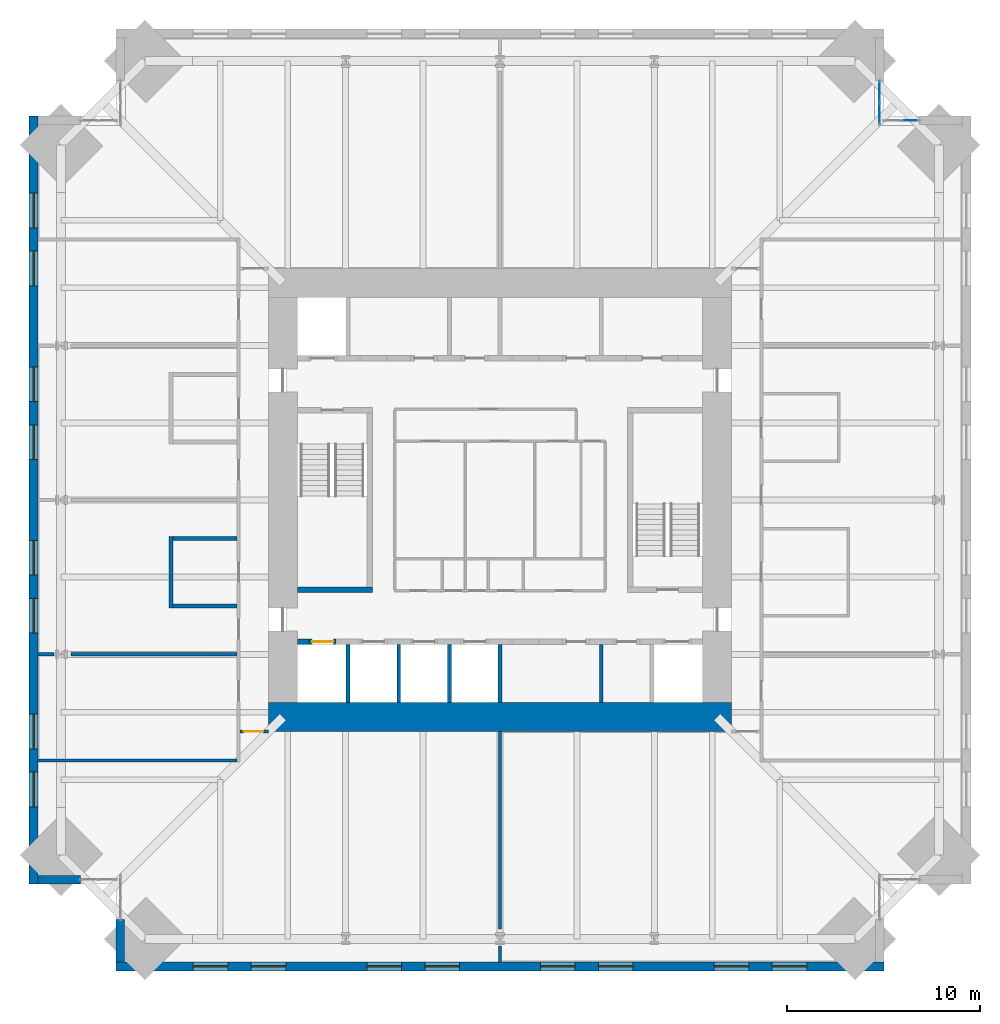
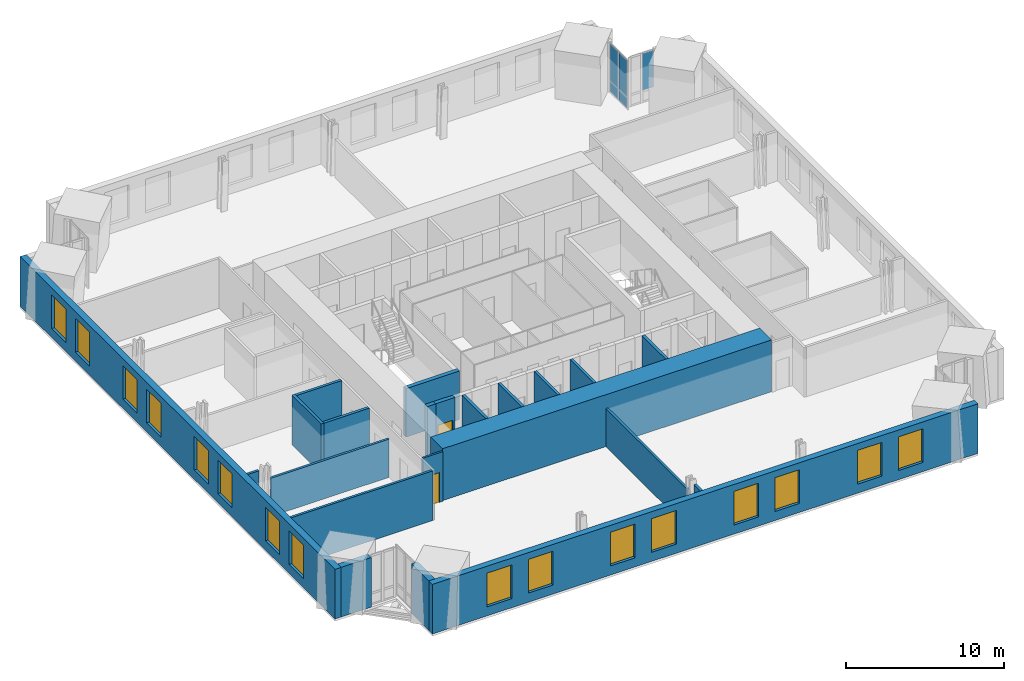
# One storey, part 10 of 15: 22 walls, 16 windows, 5 plates, 2 doors, 18 openings, 2 elements without a shape of their own.
"""IFC4 building model written with IfcOpenShell, lengths in metres."""

from ifc_helpers import new_model, si_unit, direction, frame, frame_2d, origin, origin_2d, place, context, subcontext, project, spatial, rectangle, extrude, material, layer, layer_set, type_object, element, fill, aggregate, save


model = new_model("IFC4")

# Units and contexts
model_context = context("Model", 3, precision=1e-05, world=origin(), true_north=direction((0.0, 1.0)))
body_context = subcontext(model_context, "Body", "Model", "MODEL_VIEW")
ifc_project = project(units=[si_unit("LENGTHUNIT", "METRE"), si_unit("AREAUNIT", "SQUARE_METRE"), si_unit("VOLUMEUNIT", "CUBIC_METRE"), si_unit("PLANEANGLEUNIT", "RADIAN"), si_unit("MASSUNIT", "GRAM", prefix="KILO")], contexts=[model_context])

# Site, building, storey
site_placement = place(None, origin())
site = spatial("IfcSite", under=ifc_project, at=site_placement, CompositionType="ELEMENT")
building_placement = place(site_placement, origin())
building = spatial("IfcBuilding", under=site, at=building_placement, Name="Peilmerk Tower", CompositionType="ELEMENT")
storey_placement = place(building_placement, frame((0.0, 0.0, 201.800048828125)))
storey = spatial("IfcBuildingStorey", under=building, at=storey_placement, Name="L43", CompositionType="ELEMENT", Elevation=201.800048828125)

# Curtain wall, plates
ifc_material_1 = material(Name="Aluminium stick curtain wall", Category="aluminium")
curtain_wall_type = type_object("IfcCurtainWallType", Name="CW4 stick curtain wall, 2250 module", PredefinedType="NOTDEFINED", material=ifc_material_1)
curtain_wall_1_placement = place(storey_placement, origin())
curtain_wall_1 = element("IfcCurtainWall", 1, at=curtain_wall_1_placement, inside=storey, type_object=curtain_wall_type, Name="Curtain wall CW4 NEA L43", PredefinedType="NOTDEFINED")
ifc_material_2 = material(Name="Clear insulated glazing unit", Category="glass")
ifc_layer_1 = layer(ifc_material_2, 0.028076171875)
ifc_layer_set_1 = layer_set([ifc_layer_1], Name="Clear insulated glazing unit")
plate_type = type_object("IfcPlateType", Name="CW4-P 28 glazed panel", PredefinedType="CURTAIN_PANEL", material=ifc_layer_set_1)
plate_1_placement = place(storey_placement, frame((19.675048828125, 20.038330078125, 0.06494140625), z_axis=(0.0, 0.0, 1.0), x_axis=(0.0, 1.0, 0.0)))
plate_1 = element("IfcPlate", 2, at=plate_1_placement, type_object=plate_type, Name="CW4 panel 1.1", PredefinedType="CURTAIN_PANEL", context=body_context, shape_type="SweptSolid", body=[
    extrude(rectangle(XDim=1.046875, YDim=0.028076171875, at=origin_2d()), origin(), (0.0, 0.0, 1.0), 0.802490234375),
])
plate_2_placement = place(storey_placement, frame((19.675048828125, 20.038330078125, 0.932373046875), z_axis=(0.0, 0.0, 1.0), x_axis=(0.0, 1.0, 0.0)))
plate_2 = element("IfcPlate", 3, at=plate_2_placement, type_object=plate_type, Name="CW4 panel 1.2", PredefinedType="CURTAIN_PANEL", context=body_context, shape_type="SweptSolid", body=[
    extrude(rectangle(XDim=1.046875, YDim=0.028076171875, at=origin_2d()), origin(), (0.0, 0.0, 1.0), 2.83251953125),
])
plate_3_placement = place(storey_placement, frame((19.675048828125, 21.150146484375, 0.06494140625), z_axis=(0.0, 0.0, 1.0), x_axis=(0.0, 1.0, 0.0)))
plate_3 = element("IfcPlate", 4, at=plate_3_placement, type_object=plate_type, Name="CW4 panel 2.1", PredefinedType="CURTAIN_PANEL", context=body_context, shape_type="SweptSolid", body=[
    extrude(rectangle(XDim=1.046875, YDim=0.028076171875, at=origin_2d()), origin(), (0.0, 0.0, 1.0), 0.802490234375),
])
plate_4_placement = place(storey_placement, frame((19.675048828125, 21.150146484375, 0.932373046875), z_axis=(0.0, 0.0, 1.0), x_axis=(0.0, 1.0, 0.0)))
plate_4 = element("IfcPlate", 5, at=plate_4_placement, type_object=plate_type, Name="CW4 panel 2.2", PredefinedType="CURTAIN_PANEL", context=body_context, shape_type="SweptSolid", body=[
    extrude(rectangle(XDim=1.046875, YDim=0.028076171875, at=origin_2d()), origin(), (0.0, 0.0, 1.0), 2.83251953125),
])
aggregate(curtain_wall_1, [plate_1, plate_2, plate_3, plate_4])

# Curtain wall, plate
curtain_wall_2_placement = place(storey_placement, origin())
curtain_wall_2 = element("IfcCurtainWall", 6, at=curtain_wall_2_placement, inside=storey, type_object=curtain_wall_type, Name="Curtain wall CW4 NEB L43", PredefinedType="NOTDEFINED")
plate_5_placement = place(storey_placement, frame((21.2626953125, 19.675048828125, 0.932373046875), z_axis=(0.0, 0.0, 1.0), x_axis=(1.0, 0.0, 0.0)))
plate_5 = element("IfcPlate", 7, at=plate_5_placement, type_object=plate_type, Name="CW4 panel 2.2", PredefinedType="CURTAIN_PANEL", context=body_context, shape_type="SweptSolid", body=[
    extrude(rectangle(XDim=0.82177734375, YDim=0.028076171875, at=origin_2d()), origin(), (0.0, 0.0, 1.0), 2.83251953125),
])
aggregate(curtain_wall_2, [plate_5])

# Wall, openings, windows
ifc_material_3 = material(Name="Precast concrete C45/55, board-marked finish", Category="concrete")
ifc_layer_2 = layer(ifc_material_3, 0.449951171875)
ifc_layer_set_2 = layer_set([ifc_layer_2], Name="Precast concrete C45/55, board-marked finish")
wall_type_1 = type_object("IfcWallType", Name="EW1 450 precast concrete facade wall, board-marked", PredefinedType="SOLIDWALL", material=ifc_layer_set_2)
wall_1_placement = place(storey_placement, frame((-19.89990234375, -24.175048828125, 0.0), z_axis=(0.0, 0.0, 1.0), x_axis=(1.0, 0.0, 0.0)))
wall_1 = element("IfcWall", 8, at=wall_1_placement, inside=storey, type_object=wall_type_1, Name="Facade wall S L43", PredefinedType="SOLIDWALL", context=body_context, shape_type="SweptSolid", body=[
    extrude(rectangle(XDim=39.7998046875, YDim=0.449951171875, at=frame_2d((19.89990234375, 0.0))), origin(), (0.0, 0.0, 1.0), 3.829833984375),
])
opening_1_placement = place(wall_1_placement, frame((4.0, 0.0, 0.699951171875)))
opening_1 = element("IfcOpeningElement", 9, at=opening_1_placement, cuts=wall_1, Name="Opening W1", PredefinedType="OPENING", context=body_context, shape_type="SweptSolid", body=[
    extrude(rectangle(XDim=1.800048828125, YDim=2.60009765625, at=frame_2d((0.89990234375, 1.300048828125))), frame((0.0, 0.23486328125, 0.0), z_axis=(0.0, -1.0, 0.0), x_axis=(1.0, 0.0, 0.0)), (0.0, 0.0, 1.0), 0.469970703125),
])
opening_2_placement = place(wall_1_placement, frame((7.0, 0.0, 0.699951171875)))
opening_2 = element("IfcOpeningElement", 10, at=opening_2_placement, cuts=wall_1, Name="Opening W1", PredefinedType="OPENING", context=body_context, shape_type="SweptSolid", body=[
    extrude(rectangle(XDim=1.800048828125, YDim=2.60009765625, at=frame_2d((0.89990234375, 1.300048828125))), frame((0.0, 0.23486328125, 0.0), z_axis=(0.0, -1.0, 0.0), x_axis=(1.0, 0.0, 0.0)), (0.0, 0.0, 1.0), 0.469970703125),
])
opening_3_placement = place(wall_1_placement, frame((13.0, 0.0, 0.699951171875)))
opening_3 = element("IfcOpeningElement", 11, at=opening_3_placement, cuts=wall_1, Name="Opening W1", PredefinedType="OPENING", context=body_context, shape_type="SweptSolid", body=[
    extrude(rectangle(XDim=1.800048828125, YDim=2.60009765625, at=frame_2d((0.89990234375, 1.300048828125))), frame((0.0, 0.23486328125, 0.0), z_axis=(0.0, -1.0, 0.0), x_axis=(1.0, 0.0, 0.0)), (0.0, 0.0, 1.0), 0.469970703125),
])
opening_4_placement = place(wall_1_placement, frame((16.0, 0.0, 0.699951171875)))
opening_4 = element("IfcOpeningElement", 12, at=opening_4_placement, cuts=wall_1, Name="Opening W1", PredefinedType="OPENING", context=body_context, shape_type="SweptSolid", body=[
    extrude(rectangle(XDim=1.800048828125, YDim=2.60009765625, at=frame_2d((0.89990234375, 1.300048828125))), frame((0.0, 0.23486328125, 0.0), z_axis=(0.0, -1.0, 0.0), x_axis=(1.0, 0.0, 0.0)), (0.0, 0.0, 1.0), 0.469970703125),
])
opening_5_placement = place(wall_1_placement, frame((22.0, 0.0, 0.699951171875)))
opening_5 = element("IfcOpeningElement", 13, at=opening_5_placement, cuts=wall_1, Name="Opening W1", PredefinedType="OPENING", context=body_context, shape_type="SweptSolid", body=[
    extrude(rectangle(XDim=1.800048828125, YDim=2.60009765625, at=frame_2d((0.89990234375, 1.300048828125))), frame((0.0, 0.23486328125, 0.0), z_axis=(0.0, -1.0, 0.0), x_axis=(1.0, 0.0, 0.0)), (0.0, 0.0, 1.0), 0.469970703125),
])
opening_6_placement = place(wall_1_placement, frame((25.0, 0.0, 0.699951171875)))
opening_6 = element("IfcOpeningElement", 14, at=opening_6_placement, cuts=wall_1, Name="Opening W1", PredefinedType="OPENING", context=body_context, shape_type="SweptSolid", body=[
    extrude(rectangle(XDim=1.800048828125, YDim=2.60009765625, at=frame_2d((0.89990234375, 1.300048828125))), frame((0.0, 0.23486328125, 0.0), z_axis=(0.0, -1.0, 0.0), x_axis=(1.0, 0.0, 0.0)), (0.0, 0.0, 1.0), 0.469970703125),
])
opening_7_placement = place(wall_1_placement, frame((31.0, 0.0, 0.699951171875)))
opening_7 = element("IfcOpeningElement", 15, at=opening_7_placement, cuts=wall_1, Name="Opening W1", PredefinedType="OPENING", context=body_context, shape_type="SweptSolid", body=[
    extrude(rectangle(XDim=1.800048828125, YDim=2.60009765625, at=frame_2d((0.89990234375, 1.300048828125))), frame((0.0, 0.23486328125, 0.0), z_axis=(0.0, -1.0, 0.0), x_axis=(1.0, 0.0, 0.0)), (0.0, 0.0, 1.0), 0.469970703125),
])
opening_8_placement = place(wall_1_placement, frame((34.0, 0.0, 0.699951171875)))
opening_8 = element("IfcOpeningElement", 16, at=opening_8_placement, cuts=wall_1, Name="Opening W1", PredefinedType="OPENING", context=body_context, shape_type="SweptSolid", body=[
    extrude(rectangle(XDim=1.800048828125, YDim=2.60009765625, at=frame_2d((0.89990234375, 1.300048828125))), frame((0.0, 0.23486328125, 0.0), z_axis=(0.0, -1.0, 0.0), x_axis=(1.0, 0.0, 0.0)), (0.0, 0.0, 1.0), 0.469970703125),
])
ifc_material_4 = material(Name="Aluminium frame, clear double glazing", Category="aluminium")
window_type = type_object("IfcWindowType", Name="W1 1800x2600 office window", PartitioningType="SINGLE_PANEL", PredefinedType="WINDOW", material=ifc_material_4)
window_1_placement = place(opening_1_placement, origin())
window_1 = element("IfcWindow", 17, at=window_1_placement, inside=storey, type_object=window_type, Name="Window W1 L43", OverallHeight=2.60009765625, OverallWidth=1.800048828125, PartitioningType="SINGLE_PANEL", PredefinedType="WINDOW", context=body_context, shape_type="SweptSolid", body=[
    extrude(rectangle(XDim=1.800048828125, YDim=2.60009765625, at=frame_2d((0.89990234375, 1.300048828125))), frame((0.0, 0.030029296875, 0.0), z_axis=(0.0, -1.0, 0.0), x_axis=(1.0, 0.0, 0.0)), (0.0, 0.0, 1.0), 0.06005859375),
])
fill(opening_1, window_1)
window_2_placement = place(opening_2_placement, origin())
window_2 = element("IfcWindow", 18, at=window_2_placement, inside=storey, type_object=window_type, Name="Window W1 L43", OverallHeight=2.60009765625, OverallWidth=1.800048828125, PartitioningType="SINGLE_PANEL", PredefinedType="WINDOW", context=body_context, shape_type="SweptSolid", body=[
    extrude(rectangle(XDim=1.800048828125, YDim=2.60009765625, at=frame_2d((0.89990234375, 1.300048828125))), frame((0.0, 0.030029296875, 0.0), z_axis=(0.0, -1.0, 0.0), x_axis=(1.0, 0.0, 0.0)), (0.0, 0.0, 1.0), 0.06005859375),
])
fill(opening_2, window_2)
window_3_placement = place(opening_3_placement, origin())
window_3 = element("IfcWindow", 19, at=window_3_placement, inside=storey, type_object=window_type, Name="Window W1 L43", OverallHeight=2.60009765625, OverallWidth=1.800048828125, PartitioningType="SINGLE_PANEL", PredefinedType="WINDOW", context=body_context, shape_type="SweptSolid", body=[
    extrude(rectangle(XDim=1.800048828125, YDim=2.60009765625, at=frame_2d((0.89990234375, 1.300048828125))), frame((0.0, 0.030029296875, 0.0), z_axis=(0.0, -1.0, 0.0), x_axis=(1.0, 0.0, 0.0)), (0.0, 0.0, 1.0), 0.06005859375),
])
fill(opening_3, window_3)
window_4_placement = place(opening_4_placement, origin())
window_4 = element("IfcWindow", 20, at=window_4_placement, inside=storey, type_object=window_type, Name="Window W1 L43", OverallHeight=2.60009765625, OverallWidth=1.800048828125, PartitioningType="SINGLE_PANEL", PredefinedType="WINDOW", context=body_context, shape_type="SweptSolid", body=[
    extrude(rectangle(XDim=1.800048828125, YDim=2.60009765625, at=frame_2d((0.89990234375, 1.300048828125))), frame((0.0, 0.030029296875, 0.0), z_axis=(0.0, -1.0, 0.0), x_axis=(1.0, 0.0, 0.0)), (0.0, 0.0, 1.0), 0.06005859375),
])
fill(opening_4, window_4)
window_5_placement = place(opening_5_placement, origin())
window_5 = element("IfcWindow", 21, at=window_5_placement, inside=storey, type_object=window_type, Name="Window W1 L43", OverallHeight=2.60009765625, OverallWidth=1.800048828125, PartitioningType="SINGLE_PANEL", PredefinedType="WINDOW", context=body_context, shape_type="SweptSolid", body=[
    extrude(rectangle(XDim=1.800048828125, YDim=2.60009765625, at=frame_2d((0.89990234375, 1.300048828125))), frame((0.0, 0.030029296875, 0.0), z_axis=(0.0, -1.0, 0.0), x_axis=(1.0, 0.0, 0.0)), (0.0, 0.0, 1.0), 0.06005859375),
])
fill(opening_5, window_5)
window_6_placement = place(opening_6_placement, origin())
window_6 = element("IfcWindow", 22, at=window_6_placement, inside=storey, type_object=window_type, Name="Window W1 L43", OverallHeight=2.60009765625, OverallWidth=1.800048828125, PartitioningType="SINGLE_PANEL", PredefinedType="WINDOW", context=body_context, shape_type="SweptSolid", body=[
    extrude(rectangle(XDim=1.800048828125, YDim=2.60009765625, at=frame_2d((0.89990234375, 1.300048828125))), frame((0.0, 0.030029296875, 0.0), z_axis=(0.0, -1.0, 0.0), x_axis=(1.0, 0.0, 0.0)), (0.0, 0.0, 1.0), 0.06005859375),
])
fill(opening_6, window_6)
window_7_placement = place(opening_7_placement, origin())
window_7 = element("IfcWindow", 23, at=window_7_placement, inside=storey, type_object=window_type, Name="Window W1 L43", OverallHeight=2.60009765625, OverallWidth=1.800048828125, PartitioningType="SINGLE_PANEL", PredefinedType="WINDOW", context=body_context, shape_type="SweptSolid", body=[
    extrude(rectangle(XDim=1.800048828125, YDim=2.60009765625, at=frame_2d((0.89990234375, 1.300048828125))), frame((0.0, 0.030029296875, 0.0), z_axis=(0.0, -1.0, 0.0), x_axis=(1.0, 0.0, 0.0)), (0.0, 0.0, 1.0), 0.06005859375),
])
fill(opening_7, window_7)
window_8_placement = place(opening_8_placement, origin())
window_8 = element("IfcWindow", 24, at=window_8_placement, inside=storey, type_object=window_type, Name="Window W1 L43", OverallHeight=2.60009765625, OverallWidth=1.800048828125, PartitioningType="SINGLE_PANEL", PredefinedType="WINDOW", context=body_context, shape_type="SweptSolid", body=[
    extrude(rectangle(XDim=1.800048828125, YDim=2.60009765625, at=frame_2d((0.89990234375, 1.300048828125))), frame((0.0, 0.030029296875, 0.0), z_axis=(0.0, -1.0, 0.0), x_axis=(1.0, 0.0, 0.0)), (0.0, 0.0, 1.0), 0.06005859375),
])
fill(opening_8, window_8)

wall_2_placement = place(storey_placement, frame((-24.175048828125, 19.89990234375, 0.0), z_axis=(0.0, 0.0, 1.0), x_axis=(0.0, -1.0, 0.0)))
wall_2 = element("IfcWall", 25, at=wall_2_placement, inside=storey, type_object=wall_type_1, Name="Facade wall W L43", PredefinedType="SOLIDWALL", context=body_context, shape_type="SweptSolid", body=[
    extrude(rectangle(XDim=39.7998046875, YDim=0.449951171875, at=frame_2d((19.89990234375, 0.0))), origin(), (0.0, 0.0, 1.0), 3.829833984375),
])
opening_9_placement = place(wall_2_placement, frame((4.0, 0.0, 0.699951171875)))
opening_9 = element("IfcOpeningElement", 26, at=opening_9_placement, cuts=wall_2, Name="Opening W1", PredefinedType="OPENING", context=body_context, shape_type="SweptSolid", body=[
    extrude(rectangle(XDim=1.800048828125, YDim=2.60009765625, at=frame_2d((0.89990234375, 1.300048828125))), frame((0.0, 0.23486328125, 0.0), z_axis=(0.0, -1.0, 0.0), x_axis=(1.0, 0.0, 0.0)), (0.0, 0.0, 1.0), 0.469970703125),
])
opening_10_placement = place(wall_2_placement, frame((7.0, 0.0, 0.699951171875)))
opening_10 = element("IfcOpeningElement", 27, at=opening_10_placement, cuts=wall_2, Name="Opening W1", PredefinedType="OPENING", context=body_context, shape_type="SweptSolid", body=[
    extrude(rectangle(XDim=1.800048828125, YDim=2.60009765625, at=frame_2d((0.89990234375, 1.300048828125))), frame((0.0, 0.23486328125, 0.0), z_axis=(0.0, -1.0, 0.0), x_axis=(1.0, 0.0, 0.0)), (0.0, 0.0, 1.0), 0.469970703125),
])
opening_11_placement = place(wall_2_placement, frame((13.0, 0.0, 0.699951171875)))
opening_11 = element("IfcOpeningElement", 28, at=opening_11_placement, cuts=wall_2, Name="Opening W1", PredefinedType="OPENING", context=body_context, shape_type="SweptSolid", body=[
    extrude(rectangle(XDim=1.800048828125, YDim=2.60009765625, at=frame_2d((0.89990234375, 1.300048828125))), frame((0.0, 0.23486328125, 0.0), z_axis=(0.0, -1.0, 0.0), x_axis=(1.0, 0.0, 0.0)), (0.0, 0.0, 1.0), 0.469970703125),
])
opening_12_placement = place(wall_2_placement, frame((16.0, 0.0, 0.699951171875)))
opening_12 = element("IfcOpeningElement", 29, at=opening_12_placement, cuts=wall_2, Name="Opening W1", PredefinedType="OPENING", context=body_context, shape_type="SweptSolid", body=[
    extrude(rectangle(XDim=1.800048828125, YDim=2.60009765625, at=frame_2d((0.89990234375, 1.300048828125))), frame((0.0, 0.23486328125, 0.0), z_axis=(0.0, -1.0, 0.0), x_axis=(1.0, 0.0, 0.0)), (0.0, 0.0, 1.0), 0.469970703125),
])
opening_13_placement = place(wall_2_placement, frame((22.0, 0.0, 0.699951171875)))
opening_13 = element("IfcOpeningElement", 30, at=opening_13_placement, cuts=wall_2, Name="Opening W1", PredefinedType="OPENING", context=body_context, shape_type="SweptSolid", body=[
    extrude(rectangle(XDim=1.800048828125, YDim=2.60009765625, at=frame_2d((0.89990234375, 1.300048828125))), frame((0.0, 0.23486328125, 0.0), z_axis=(0.0, -1.0, 0.0), x_axis=(1.0, 0.0, 0.0)), (0.0, 0.0, 1.0), 0.469970703125),
])
opening_14_placement = place(wall_2_placement, frame((25.0, 0.0, 0.699951171875)))
opening_14 = element("IfcOpeningElement", 31, at=opening_14_placement, cuts=wall_2, Name="Opening W1", PredefinedType="OPENING", context=body_context, shape_type="SweptSolid", body=[
    extrude(rectangle(XDim=1.800048828125, YDim=2.60009765625, at=frame_2d((0.89990234375, 1.300048828125))), frame((0.0, 0.23486328125, 0.0), z_axis=(0.0, -1.0, 0.0), x_axis=(1.0, 0.0, 0.0)), (0.0, 0.0, 1.0), 0.469970703125),
])
opening_15_placement = place(wall_2_placement, frame((31.0, 0.0, 0.699951171875)))
opening_15 = element("IfcOpeningElement", 32, at=opening_15_placement, cuts=wall_2, Name="Opening W1", PredefinedType="OPENING", context=body_context, shape_type="SweptSolid", body=[
    extrude(rectangle(XDim=1.800048828125, YDim=2.60009765625, at=frame_2d((0.89990234375, 1.300048828125))), frame((0.0, 0.23486328125, 0.0), z_axis=(0.0, -1.0, 0.0), x_axis=(1.0, 0.0, 0.0)), (0.0, 0.0, 1.0), 0.469970703125),
])
opening_16_placement = place(wall_2_placement, frame((34.0, 0.0, 0.699951171875)))
opening_16 = element("IfcOpeningElement", 33, at=opening_16_placement, cuts=wall_2, Name="Opening W1", PredefinedType="OPENING", context=body_context, shape_type="SweptSolid", body=[
    extrude(rectangle(XDim=1.800048828125, YDim=2.60009765625, at=frame_2d((0.89990234375, 1.300048828125))), frame((0.0, 0.23486328125, 0.0), z_axis=(0.0, -1.0, 0.0), x_axis=(1.0, 0.0, 0.0)), (0.0, 0.0, 1.0), 0.469970703125),
])
window_9_placement = place(opening_9_placement, origin())
window_9 = element("IfcWindow", 34, at=window_9_placement, inside=storey, type_object=window_type, Name="Window W1 L43", OverallHeight=2.60009765625, OverallWidth=1.800048828125, PartitioningType="SINGLE_PANEL", PredefinedType="WINDOW", context=body_context, shape_type="SweptSolid", body=[
    extrude(rectangle(XDim=1.800048828125, YDim=2.60009765625, at=frame_2d((0.89990234375, 1.300048828125))), frame((0.0, 0.030029296875, 0.0), z_axis=(0.0, -1.0, 0.0), x_axis=(1.0, 0.0, 0.0)), (0.0, 0.0, 1.0), 0.06005859375),
])
fill(opening_9, window_9)
window_10_placement = place(opening_10_placement, origin())
window_10 = element("IfcWindow", 35, at=window_10_placement, inside=storey, type_object=window_type, Name="Window W1 L43", OverallHeight=2.60009765625, OverallWidth=1.800048828125, PartitioningType="SINGLE_PANEL", PredefinedType="WINDOW", context=body_context, shape_type="SweptSolid", body=[
    extrude(rectangle(XDim=1.800048828125, YDim=2.60009765625, at=frame_2d((0.89990234375, 1.300048828125))), frame((0.0, 0.030029296875, 0.0), z_axis=(0.0, -1.0, 0.0), x_axis=(1.0, 0.0, 0.0)), (0.0, 0.0, 1.0), 0.06005859375),
])
fill(opening_10, window_10)
window_11_placement = place(opening_11_placement, origin())
window_11 = element("IfcWindow", 36, at=window_11_placement, inside=storey, type_object=window_type, Name="Window W1 L43", OverallHeight=2.60009765625, OverallWidth=1.800048828125, PartitioningType="SINGLE_PANEL", PredefinedType="WINDOW", context=body_context, shape_type="SweptSolid", body=[
    extrude(rectangle(XDim=1.800048828125, YDim=2.60009765625, at=frame_2d((0.89990234375, 1.300048828125))), frame((0.0, 0.030029296875, 0.0), z_axis=(0.0, -1.0, 0.0), x_axis=(1.0, 0.0, 0.0)), (0.0, 0.0, 1.0), 0.06005859375),
])
fill(opening_11, window_11)
window_12_placement = place(opening_12_placement, origin())
window_12 = element("IfcWindow", 37, at=window_12_placement, inside=storey, type_object=window_type, Name="Window W1 L43", OverallHeight=2.60009765625, OverallWidth=1.800048828125, PartitioningType="SINGLE_PANEL", PredefinedType="WINDOW", context=body_context, shape_type="SweptSolid", body=[
    extrude(rectangle(XDim=1.800048828125, YDim=2.60009765625, at=frame_2d((0.89990234375, 1.300048828125))), frame((0.0, 0.030029296875, 0.0), z_axis=(0.0, -1.0, 0.0), x_axis=(1.0, 0.0, 0.0)), (0.0, 0.0, 1.0), 0.06005859375),
])
fill(opening_12, window_12)
window_13_placement = place(opening_13_placement, origin())
window_13 = element("IfcWindow", 38, at=window_13_placement, inside=storey, type_object=window_type, Name="Window W1 L43", OverallHeight=2.60009765625, OverallWidth=1.800048828125, PartitioningType="SINGLE_PANEL", PredefinedType="WINDOW", context=body_context, shape_type="SweptSolid", body=[
    extrude(rectangle(XDim=1.800048828125, YDim=2.60009765625, at=frame_2d((0.89990234375, 1.300048828125))), frame((0.0, 0.030029296875, 0.0), z_axis=(0.0, -1.0, 0.0), x_axis=(1.0, 0.0, 0.0)), (0.0, 0.0, 1.0), 0.06005859375),
])
fill(opening_13, window_13)
window_14_placement = place(opening_14_placement, origin())
window_14 = element("IfcWindow", 39, at=window_14_placement, inside=storey, type_object=window_type, Name="Window W1 L43", OverallHeight=2.60009765625, OverallWidth=1.800048828125, PartitioningType="SINGLE_PANEL", PredefinedType="WINDOW", context=body_context, shape_type="SweptSolid", body=[
    extrude(rectangle(XDim=1.800048828125, YDim=2.60009765625, at=frame_2d((0.89990234375, 1.300048828125))), frame((0.0, 0.030029296875, 0.0), z_axis=(0.0, -1.0, 0.0), x_axis=(1.0, 0.0, 0.0)), (0.0, 0.0, 1.0), 0.06005859375),
])
fill(opening_14, window_14)
window_15_placement = place(opening_15_placement, origin())
window_15 = element("IfcWindow", 40, at=window_15_placement, inside=storey, type_object=window_type, Name="Window W1 L43", OverallHeight=2.60009765625, OverallWidth=1.800048828125, PartitioningType="SINGLE_PANEL", PredefinedType="WINDOW", context=body_context, shape_type="SweptSolid", body=[
    extrude(rectangle(XDim=1.800048828125, YDim=2.60009765625, at=frame_2d((0.89990234375, 1.300048828125))), frame((0.0, 0.030029296875, 0.0), z_axis=(0.0, -1.0, 0.0), x_axis=(1.0, 0.0, 0.0)), (0.0, 0.0, 1.0), 0.06005859375),
])
fill(opening_15, window_15)
window_16_placement = place(opening_16_placement, origin())
window_16 = element("IfcWindow", 41, at=window_16_placement, inside=storey, type_object=window_type, Name="Window W1 L43", OverallHeight=2.60009765625, OverallWidth=1.800048828125, PartitioningType="SINGLE_PANEL", PredefinedType="WINDOW", context=body_context, shape_type="SweptSolid", body=[
    extrude(rectangle(XDim=1.800048828125, YDim=2.60009765625, at=frame_2d((0.89990234375, 1.300048828125))), frame((0.0, 0.030029296875, 0.0), z_axis=(0.0, -1.0, 0.0), x_axis=(1.0, 0.0, 0.0)), (0.0, 0.0, 1.0), 0.06005859375),
])
fill(opening_16, window_16)

# Walls
for number, where, z_axis, x_axis, name in (
    (42, (-19.675048828125, -21.753662109375, 0.0), (0.0, 0.0, 1.0), (0.0, -1.0, 0.0), "Facade wall SWA L43"),
    (43, (-21.753662109375, -19.675048828125, 0.0), (0.0, 0.0, 1.0), (-1.0, 0.0, 0.0), "Facade wall SWB L43"),
):
    element("IfcWall", number, at=place(storey_placement, frame(where, z_axis=z_axis, x_axis=x_axis)), inside=storey, type_object=wall_type_1, Name=name, PredefinedType="SOLIDWALL", context=body_context, shape_type="SweptSolid", body=[
        extrude(rectangle(XDim=2.1962890625, YDim=0.449951171875, at=frame_2d((1.09814453125, 0.0))), origin(), (0.0, 0.0, 1.0), 3.829833984375),
    ])

# Wall, opening, door
ifc_material_5 = material(Name="Calcium silicate block", Category="masonry")
ifc_layer_3 = layer(ifc_material_5, 0.14990234375)
ifc_layer_set_3 = layer_set([ifc_layer_3], Name="Calcium silicate block")
wall_type_2 = type_object("IfcWallType", Name="IW1 150 corridor partition, EI 60", PredefinedType="PARTITIONING", material=ifc_layer_set_3)
wall_3_placement = place(storey_placement, frame((-12.0, -12.0, 0.0), z_axis=(0.0, 0.0, 1.0), x_axis=(-1.0, 0.0, 0.0)))
wall_3 = element("IfcWall", 44, at=wall_3_placement, inside=storey, type_object=wall_type_2, Name="Corridor wall SW L43", PredefinedType="PARTITIONING", context=body_context, shape_type="SweptSolid", body=[
    extrude(rectangle(XDim=1.47509765625, YDim=0.14990234375, at=frame_2d((0.737548828125, 0.0))), origin(), (0.0, 0.0, 1.0), 3.829833984375),
])
opening_17_placement = place(wall_3_placement, frame((0.27490234375, 0.0, 0.0)))
opening_17 = element("IfcOpeningElement", 45, at=opening_17_placement, cuts=wall_3, Name="Opening D1", PredefinedType="OPENING", context=body_context, shape_type="SweptSolid", body=[
    extrude(rectangle(XDim=1.0, YDim=2.300048828125, at=frame_2d((0.5, 1.14990234375))), frame((0.0, 0.0849609375, 0.0), z_axis=(0.0, -1.0, 0.0), x_axis=(1.0, 0.0, 0.0)), (0.0, 0.0, 1.0), 0.169921875),
])
ifc_material_6 = material(Name="Timber door in steel frame", Category="steel")
door_type_1 = type_object("IfcDoorType", Name="D1 1000x2300 room door, EI2 30", OperationType="SINGLE_SWING_LEFT", PredefinedType="DOOR", material=ifc_material_6)
door_1_placement = place(opening_17_placement, origin())
door_1 = element("IfcDoor", 46, at=door_1_placement, inside=storey, type_object=door_type_1, Name="Door Test lab L43", OperationType="SINGLE_SWING_LEFT", OverallHeight=2.300048828125, OverallWidth=1.0, PredefinedType="DOOR", context=body_context, shape_type="SweptSolid", body=[
    extrude(rectangle(XDim=1.0, YDim=2.300048828125, at=frame_2d((0.5, 1.14990234375))), frame((0.0, 0.02490234375, 0.0), z_axis=(0.0, -1.0, 0.0), x_axis=(1.0, 0.0, 0.0)), (0.0, 0.0, 1.0), 0.050048828125),
])
fill(opening_17, door_1)

# Walls
ifc_layer_4 = layer(ifc_material_5, 0.199951171875)
ifc_layer_set_4 = layer_set([ifc_layer_4], Name="Calcium silicate block")
wall_type_3 = type_object("IfcWallType", Name="IW2 200 room separating wall, EI 120", PredefinedType="PARTITIONING", material=ifc_layer_set_4)
wall_4_placement = place(storey_placement, frame((-17.050048828125, -5.60009765625, 0.0), z_axis=(0.0, 0.0, 1.0), x_axis=(0.0, 1.0, 0.0)))
element("IfcWall", 47, at=wall_4_placement, inside=storey, type_object=wall_type_3, Name="Room separating wall Instrument workshop L43", PredefinedType="PARTITIONING", context=body_context, shape_type="SweptSolid", body=[
    extrude(rectangle(XDim=3.7001953125, YDim=0.199951171875, at=frame_2d((1.85009765625, 0.0))), origin(), (0.0, 0.0, 1.0), 3.829833984375),
])
for number, where, z_axis, x_axis, name in (
    (48, (-13.625, -5.5, 0.0), (0.0, 0.0, 1.0), (-1.0, 0.0, 0.0), "Room separating wall Instrument workshop L43"),
    (49, (-13.625, -2.0, 0.0), (0.0, 0.0, 1.0), (-1.0, 0.0, 0.0), "Room separating wall Instrument workshop L43"),
):
    element("IfcWall", number, at=place(storey_placement, frame(where, z_axis=z_axis, x_axis=x_axis)), inside=storey, type_object=wall_type_3, Name=name, PredefinedType="PARTITIONING", context=body_context, shape_type="SweptSolid", body=[
        extrude(rectangle(XDim=3.324951171875, YDim=0.199951171875, at=frame_2d((1.66259765625, 0.0))), origin(), (0.0, 0.0, 1.0), 3.829833984375),
    ])
ifc_material_7 = material(Name="Concrete C35/45", Category="concrete")
ifc_layer_5 = layer(ifc_material_7, 0.300048828125)
ifc_layer_set_5 = layer_set([ifc_layer_5], Name="Concrete C35/45")
wall_type_4 = type_object("IfcWallType", Name="IW3 300 concrete stair enclosure wall, EI 120", PredefinedType="SOLIDWALL", material=ifc_layer_set_5)
wall_5_placement = place(storey_placement, frame((-6.60009765625, -4.64990234375, 0.0), z_axis=(0.0, 0.0, 1.0), x_axis=(-1.0, 0.0, 0.0)))
element("IfcWall", 50, at=wall_5_placement, inside=storey, type_object=wall_type_4, Name="Stair 1 enclosure L43", PredefinedType="SOLIDWALL", context=body_context, shape_type="SweptSolid", body=[
    extrude(rectangle(XDim=3.89990234375, YDim=0.300048828125, at=frame_2d((1.949951171875, 0.0))), origin(), (0.0, 0.0, 1.0), 3.75),
])
ifc_layer_6 = layer(ifc_material_5, 0.175048828125)
ifc_layer_set_6 = layer_set([ifc_layer_6], Name="Calcium silicate block")
wall_type_5 = type_object("IfcWallType", Name="IW8 175 tenant separating wall, EI 60", PredefinedType="PARTITIONING", material=ifc_layer_set_6)
wall_6_placement = place(storey_placement, frame((-13.625, -13.5, 0.0), z_axis=(0.0, 0.0, 1.0), x_axis=(-1.0, 0.0, 0.0)))
element("IfcWall", 51, at=wall_6_placement, inside=storey, type_object=wall_type_5, Name="Tenant separating wall SW L43", PredefinedType="PARTITIONING", context=body_context, shape_type="SweptSolid", body=[
    extrude(rectangle(XDim=10.324951171875, YDim=0.175048828125, at=frame_2d((5.16259765625, 0.0))), origin(), (0.0, 0.0, 1.0), 3.829833984375),
])
wall_7_placement = place(storey_placement, frame((0.0, -12.0, 0.0), z_axis=(0.0, 0.0, 1.0), x_axis=(0.0, -1.0, 0.0)))
element("IfcWall", 52, at=wall_7_placement, inside=storey, type_object=wall_type_5, Name="Tenant separating wall S1 L43", PredefinedType="PARTITIONING", context=body_context, shape_type="SweptSolid", body=[
    extrude(rectangle(XDim=10.234375, YDim=0.175048828125, at=frame_2d((5.1171875, 0.0))), origin(), (0.0, 0.0, 1.0), 2.93994140625),
])
wall_8_placement = place(storey_placement, frame((0.0, -23.12353515625, 0.0), z_axis=(0.0, 0.0, 1.0), x_axis=(0.0, -1.0, 0.0)))
element("IfcWall", 53, at=wall_8_placement, inside=storey, type_object=wall_type_5, Name="Tenant separating wall S1b L43", PredefinedType="PARTITIONING", context=body_context, shape_type="SweptSolid", body=[
    extrude(rectangle(XDim=0.826416015625, YDim=0.175048828125, at=frame_2d((0.4130859375, 0.0))), origin(), (0.0, 0.0, 1.0), 3.829833984375),
])
wall_9_placement = place(storey_placement, frame((-13.625, -8.0, 0.0), z_axis=(0.0, 0.0, 1.0), x_axis=(-1.0, 0.0, 0.0)))
element("IfcWall", 54, at=wall_9_placement, inside=storey, type_object=wall_type_5, Name="Tenant separating wall W1 L43", PredefinedType="PARTITIONING", context=body_context, shape_type="SweptSolid", body=[
    extrude(rectangle(XDim=8.609375, YDim=0.175048828125, at=frame_2d((4.3046875, 0.0))), origin(), (0.0, 0.0, 1.0), 2.93994140625),
])
wall_10_placement = place(storey_placement, frame((-23.12353515625, -8.0, 0.0), z_axis=(0.0, 0.0, 1.0), x_axis=(-1.0, 0.0, 0.0)))
element("IfcWall", 55, at=wall_10_placement, inside=storey, type_object=wall_type_5, Name="Tenant separating wall W1b L43", PredefinedType="PARTITIONING", context=body_context, shape_type="SweptSolid", body=[
    extrude(rectangle(XDim=0.826416015625, YDim=0.175048828125, at=frame_2d((0.4130859375, 0.0))), origin(), (0.0, 0.0, 1.0), 3.829833984375),
])
ifc_layer_7 = layer(ifc_material_5, 0.199951171875)
ifc_layer_set_7 = layer_set([ifc_layer_7], Name="Calcium silicate block")
wall_type_6 = type_object("IfcWallType", Name="SH1 200 shaft dividing wall, EI 120", PredefinedType="PARTITIONING", material=ifc_layer_set_7)
for number, where, z_axis, x_axis, name in (
    (56, (-7.875, -10.5, 0.0), (0.0, 0.0, 1.0), (0.0, 1.0, 0.0), "Shaft wall S C4 L43"),
    (57, (-5.25, -10.5, 0.0), (0.0, 0.0, 1.0), (0.0, 1.0, 0.0), "Shaft wall S C3 L43"),
    (58, (-2.625, -10.5, 0.0), (0.0, 0.0, 1.0), (0.0, 1.0, 0.0), "Shaft wall S C2 L43"),
    (59, (0.0, -10.5, 0.0), (0.0, 0.0, 1.0), (0.0, 1.0, 0.0), "Shaft wall S C1 L43"),
    (60, (5.25, -10.5, 0.0), (0.0, 0.0, 1.0), (0.0, 1.0, 0.0), "Shaft wall S B2 L43"),
):
    element("IfcWall", number, at=place(storey_placement, frame(where, z_axis=z_axis, x_axis=x_axis)), inside=storey, type_object=wall_type_6, Name=name, PredefinedType="PARTITIONING", context=body_context, shape_type="SweptSolid", body=[
        extrude(rectangle(XDim=3.0, YDim=0.199951171875, at=frame_2d((1.5, 0.0))), origin(), (0.0, 0.0, 1.0), 4.0),
    ])

# Wall, opening, door
ifc_layer_8 = layer(ifc_material_5, 0.300048828125)
ifc_layer_set_8 = layer_set([ifc_layer_8], Name="Calcium silicate block")
wall_type_7 = type_object("IfcWallType", Name="SH2 300 lift landing door panel, EI 120", PredefinedType="PARTITIONING", material=ifc_layer_set_8)
wall_11_placement = place(storey_placement, frame((-9.887451171875, -7.35009765625, 0.0), z_axis=(0.0, 0.0, 1.0), x_axis=(1.0, 0.0, 0.0)))
wall_11 = element("IfcWall", 61, at=wall_11_placement, inside=storey, type_object=wall_type_7, Name="Lift door panel S C4 L43", PredefinedType="PARTITIONING", context=body_context, shape_type="SweptSolid", body=[
    extrude(rectangle(XDim=1.39990234375, YDim=0.300048828125, at=frame_2d((0.699951171875, 0.0))), origin(), (0.0, 0.0, 1.0), 4.0),
])
opening_18_placement = place(wall_11_placement, frame((0.14990234375, 0.0, 0.0)))
opening_18 = element("IfcOpeningElement", 62, at=opening_18_placement, cuts=wall_11, Name="Opening LD1", PredefinedType="OPENING", context=body_context, shape_type="SweptSolid", body=[
    extrude(rectangle(XDim=1.10009765625, YDim=2.300048828125, at=frame_2d((0.550048828125, 1.14990234375))), frame((0.0, 0.159912109375, 0.0), z_axis=(0.0, -1.0, 0.0), x_axis=(1.0, 0.0, 0.0)), (0.0, 0.0, 1.0), 0.320068359375),
])
ifc_material_8 = material(Name="Stainless steel landing door", Category="steel")
door_type_2 = type_object("IfcDoorType", Name="LD1 1100x2300 lift landing door, sliding, EI2 60", OperationType="SLIDING_TO_LEFT", PredefinedType="DOOR", material=ifc_material_8)
door_2_placement = place(opening_18_placement, origin())
door_2 = element("IfcDoor", 63, at=door_2_placement, inside=storey, type_object=door_type_2, Name="Lift landing door C4 L43", OperationType="SLIDING_TO_LEFT", OverallHeight=2.300048828125, OverallWidth=1.10009765625, PredefinedType="DOOR", context=body_context, shape_type="SweptSolid", body=[
    extrude(rectangle(XDim=1.10009765625, YDim=2.300048828125, at=frame_2d((0.550048828125, 1.14990234375))), frame((0.0, 0.02490234375, 0.0), z_axis=(0.0, -1.0, 0.0), x_axis=(1.0, 0.0, 0.0)), (0.0, 0.0, 1.0), 0.050048828125),
])
fill(opening_18, door_2)

# Walls
ifc_material_9 = material(Name="Concrete C55/67", Category="concrete")
ifc_layer_9 = layer(ifc_material_9, 1.5)
ifc_layer_set_9 = layer_set([ifc_layer_9], Name="Concrete C55/67")
wall_type_8 = type_object("IfcWallType", Name="SW1 1500 core wall", PredefinedType="SHEAR", material=ifc_layer_set_9)
wall_12_placement = place(storey_placement, frame((12.0, -11.25, 0.0), z_axis=(0.0, 0.0, 1.0), x_axis=(-1.0, 0.0, 0.0)))
element("IfcWall", 64, at=wall_12_placement, inside=storey, type_object=wall_type_8, Name="Core wall S L43", PredefinedType="SHEAR", context=body_context, shape_type="SweptSolid", body=[
    extrude(rectangle(XDim=24.0, YDim=1.5, at=frame_2d((12.0, 0.0))), origin(), (0.0, 0.0, 1.0), 4.0),
])
ifc_layer_10 = layer(ifc_material_9, 0.300048828125)
ifc_layer_set_10 = layer_set([ifc_layer_10], Name="Concrete C55/67")
wall_type_9 = type_object("IfcWallType", Name="SW2 300 lift bank pier", PredefinedType="SHEAR", material=ifc_layer_set_10)
wall_13_placement = place(storey_placement, frame((-10.5, -7.35009765625, 0.0), z_axis=(0.0, 0.0, 1.0), x_axis=(1.0, 0.0, 0.0)))
element("IfcWall", 65, at=wall_13_placement, inside=storey, type_object=wall_type_9, Name="Lift bank pier S L43", PredefinedType="SHEAR", context=body_context, shape_type="SweptSolid", body=[
    extrude(rectangle(XDim=0.612548828125, YDim=0.300048828125, at=frame_2d((0.30615234375, 0.0))), origin(), (0.0, 0.0, 1.0), 4.0),
])

save(model, "model.ifc")
